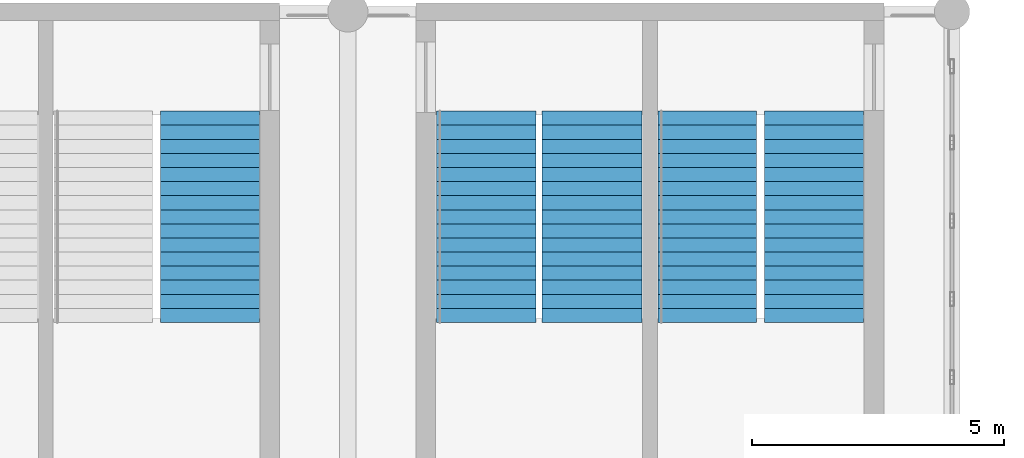
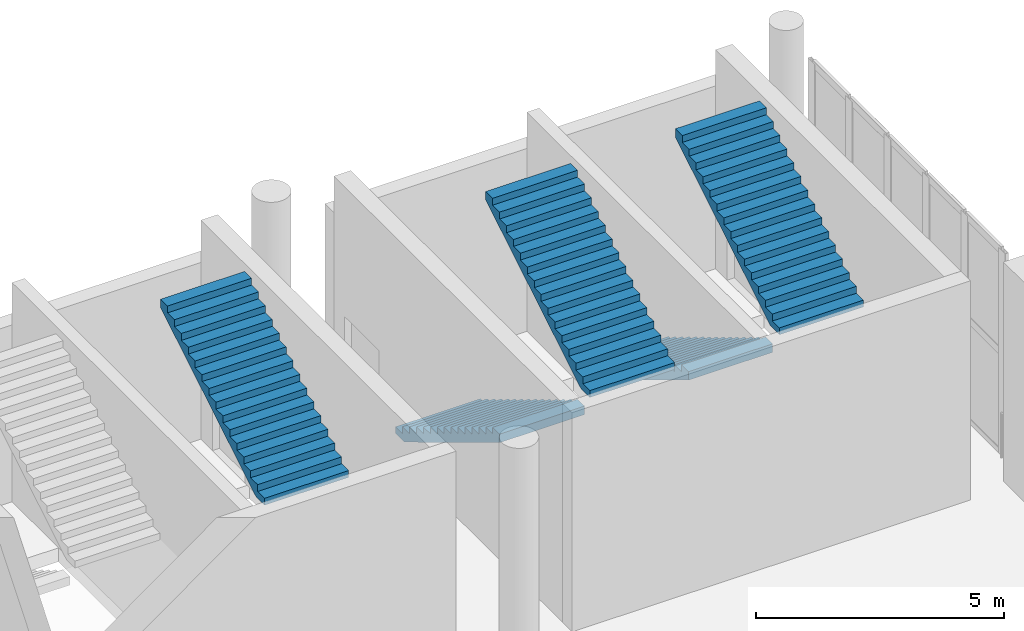
# One storey, part 59 of 74: 5 stair flights, 3 elements without a shape of their own.
"""IFC4 building model written with IfcOpenShell, lengths in metres."""

from ifc_helpers import new_model, si_unit, direction, frame, origin, place, context, subcontext, project, spatial, polyline, outline, extrude, material, layer, layer_set, type_object, element, aggregate, save


model = new_model("IFC4")

# Units and contexts
model_context = context("Model", 3, precision=1e-05, world=origin(), true_north=direction((0.0, 1.0)))
body_context = subcontext(model_context, "Body", "Model", "MODEL_VIEW")
ifc_project = project(units=[si_unit("LENGTHUNIT", "METRE"), si_unit("AREAUNIT", "SQUARE_METRE"), si_unit("VOLUMEUNIT", "CUBIC_METRE"), si_unit("PLANEANGLEUNIT", "RADIAN"), si_unit("MASSUNIT", "GRAM", prefix="KILO")], contexts=[model_context])

# Site, building, storey
site_placement = place(None, origin())
site = spatial("IfcSite", under=ifc_project, at=site_placement, CompositionType="ELEMENT")
building_placement = place(site_placement, origin())
building = spatial("IfcBuilding", under=site, at=building_placement, Name="Brinegate Civic Arena", CompositionType="ELEMENT")
storey_placement = place(building_placement, frame((0.0, 0.0, 19.199951171875)))
storey = spatial("IfcBuildingStorey", under=building, at=storey_placement, Name="L04", CompositionType="ELEMENT", Elevation=19.199951171875)

# Stair, stair flights
ifc_material = material(Name="Concrete C40/50", Category="concrete")
stair_type_1 = type_object("IfcStairType", Name="STAIR-EXIT-3700", PredefinedType="HALF_TURN_STAIR", material=ifc_material)
stair_1_placement = place(storey_placement, origin())
stair_1 = element("IfcStair", 1, at=stair_1_placement, inside=storey, type_object=stair_type_1, Name="Protected Exit Stair ST-03B (L04)", PredefinedType="HALF_TURN_STAIR")
ifc_layer_1 = layer(ifc_material, 0.179931640625, Name="Concrete C40/50")
ifc_layer_set_1 = layer_set([ifc_layer_1], Name="Concrete C40/50")
stair_flight_type_1 = type_object("IfcStairFlightType", Name="FLIGHT-EXIT-3700", PredefinedType="STRAIGHT", material=ifc_layer_set_1)
stair_flight_1_placement = place(storey_placement, frame((127.139892578125, 122.030029296875, 0.0), z_axis=(0.0, 0.0, 1.0), x_axis=(0.0, -1.0, 0.0)))
stair_flight_1 = element("IfcStairFlight", 2, at=stair_flight_1_placement, type_object=stair_flight_type_1, Name="ST-03B flight 1", NumberOfRisers=16, NumberOfTreads=15, PredefinedType="STRAIGHT", RiserHeight=0.16875, TreadLength=0.28, context=body_context, shape_type="SweptSolid", body=[
    extrude(outline(polyline([(0.0, 0.0), (0.0, 0.168701171875), (0.280029296875, 0.168701171875), (0.280029296875, 0.33740234375), (0.56005859375, 0.33740234375), (0.56005859375, 0.50634765625), (0.840087890625, 0.50634765625), (0.840087890625, 0.675048828125), (1.1201171875, 0.675048828125), (1.1201171875, 0.84375), (1.39990234375, 0.84375), (1.39990234375, 1.012451171875), (1.679931640625, 1.012451171875), (1.679931640625, 1.18115234375), (1.9599609375, 1.18115234375), (1.9599609375, 1.35009765625), (2.239990234375, 1.35009765625), (2.239990234375, 1.518798828125), (2.52001953125, 1.518798828125), (2.52001953125, 1.6875), (2.800048828125, 1.6875), (2.800048828125, 1.856201171875), (3.080078125, 1.856201171875), (3.080078125, 2.02490234375), (3.360107421875, 2.02490234375), (3.360107421875, 2.19384765625), (3.639892578125, 2.19384765625), (3.639892578125, 2.362548828125), (3.919921875, 2.362548828125), (3.919921875, 2.53125), (4.199951171875, 2.53125), (4.199951171875, 2.699951171875), (4.199951171875, 2.3212890625), (0.3486328125, 0.0), (0.0, 0.0)])), frame((0.0, 0.97998046875, 0.0), z_axis=(0.0, -1.0, 0.0), x_axis=(1.0, 0.0, 0.0)), (0.0, 0.0, 1.0), 1.9599609375),
])
stair_flight_2_placement = place(storey_placement, frame((129.260009765625, 117.830078125, 2.699951171875), z_axis=(0.0, 0.0, 1.0), x_axis=(0.0, 1.0, 0.0)))
stair_flight_2 = element("IfcStairFlight", 3, at=stair_flight_2_placement, type_object=stair_flight_type_1, Name="ST-03B flight 2", NumberOfRisers=16, NumberOfTreads=15, PredefinedType="STRAIGHT", RiserHeight=0.16875, TreadLength=0.28, context=body_context, shape_type="SweptSolid", body=[
    extrude(outline(polyline([(0.0, 0.0), (0.0, 0.168701171875), (0.280029296875, 0.168701171875), (0.280029296875, 0.33740234375), (0.56005859375, 0.33740234375), (0.56005859375, 0.50634765625), (0.840087890625, 0.50634765625), (0.840087890625, 0.675048828125), (1.1201171875, 0.675048828125), (1.1201171875, 0.84375), (1.39990234375, 0.84375), (1.39990234375, 1.012451171875), (1.679931640625, 1.012451171875), (1.679931640625, 1.18115234375), (1.9599609375, 1.18115234375), (1.9599609375, 1.35009765625), (2.239990234375, 1.35009765625), (2.239990234375, 1.518798828125), (2.52001953125, 1.518798828125), (2.52001953125, 1.6875), (2.800048828125, 1.6875), (2.800048828125, 1.856201171875), (3.080078125, 1.856201171875), (3.080078125, 2.02490234375), (3.360107421875, 2.02490234375), (3.360107421875, 2.19384765625), (3.639892578125, 2.19384765625), (3.639892578125, 2.362548828125), (3.919921875, 2.362548828125), (3.919921875, 2.53125), (4.199951171875, 2.53125), (4.199951171875, 2.699951171875), (4.199951171875, 2.3212890625), (0.3486328125, 0.0), (0.0, 0.0)])), frame((0.0, 0.97998046875, 0.0), z_axis=(0.0, -1.0, 0.0), x_axis=(1.0, 0.0, 0.0)), (0.0, 0.0, 1.0), 1.9599609375),
])
aggregate(stair_1, [stair_flight_1, stair_flight_2])

# Stair, stair flight
stair_2_placement = place(storey_placement, origin())
stair_2 = element("IfcStair", 4, at=stair_2_placement, inside=storey, type_object=stair_type_1, Name="Protected Exit Stair ST-15B (L04)", PredefinedType="HALF_TURN_STAIR")
stair_flight_3_placement = place(storey_placement, frame((117.260009765625, 117.830078125, 2.699951171875), z_axis=(0.0, 0.0, 1.0), x_axis=(0.0, 1.0, 0.0)))
stair_flight_3 = element("IfcStairFlight", 5, at=stair_flight_3_placement, type_object=stair_flight_type_1, Name="ST-15B flight 2", NumberOfRisers=16, NumberOfTreads=15, PredefinedType="STRAIGHT", RiserHeight=0.16875, TreadLength=0.28, context=body_context, shape_type="SweptSolid", body=[
    extrude(outline(polyline([(0.0, 0.0), (0.0, 0.168701171875), (0.280029296875, 0.168701171875), (0.280029296875, 0.33740234375), (0.56005859375, 0.33740234375), (0.56005859375, 0.50634765625), (0.840087890625, 0.50634765625), (0.840087890625, 0.675048828125), (1.1201171875, 0.675048828125), (1.1201171875, 0.84375), (1.39990234375, 0.84375), (1.39990234375, 1.012451171875), (1.679931640625, 1.012451171875), (1.679931640625, 1.18115234375), (1.9599609375, 1.18115234375), (1.9599609375, 1.35009765625), (2.239990234375, 1.35009765625), (2.239990234375, 1.518798828125), (2.52001953125, 1.518798828125), (2.52001953125, 1.6875), (2.800048828125, 1.6875), (2.800048828125, 1.856201171875), (3.080078125, 1.856201171875), (3.080078125, 2.02490234375), (3.360107421875, 2.02490234375), (3.360107421875, 2.19384765625), (3.639892578125, 2.19384765625), (3.639892578125, 2.362548828125), (3.919921875, 2.362548828125), (3.919921875, 2.53125), (4.199951171875, 2.53125), (4.199951171875, 2.699951171875), (4.199951171875, 2.3212890625), (0.3486328125, 0.0), (0.0, 0.0)])), frame((0.0, 0.97998046875, 0.0), z_axis=(0.0, -1.0, 0.0), x_axis=(1.0, 0.0, 0.0)), (0.0, 0.0, 1.0), 1.9599609375),
])
aggregate(stair_2, [stair_flight_3])

# Stair, stair flights
stair_type_2 = type_object("IfcStairType", Name="STAIR-EXIT-3850", PredefinedType="HALF_TURN_STAIR", material=ifc_material)
stair_3_placement = place(storey_placement, origin())
stair_3 = element("IfcStair", 6, at=stair_3_placement, inside=storey, type_object=stair_type_2, Name="Protected Exit Stair ST-03A (L04)", PredefinedType="HALF_TURN_STAIR")
ifc_layer_2 = layer(ifc_material, 0.179931640625, Name="Concrete C40/50")
ifc_layer_set_2 = layer_set([ifc_layer_2], Name="Concrete C40/50")
stair_flight_type_2 = type_object("IfcStairFlightType", Name="FLIGHT-EXIT-3850", PredefinedType="STRAIGHT", material=ifc_layer_set_2)
stair_flight_4_placement = place(storey_placement, frame((122.75, 122.030029296875, 0.0), z_axis=(0.0, 0.0, 1.0), x_axis=(0.0, -1.0, 0.0)))
stair_flight_4 = element("IfcStairFlight", 7, at=stair_flight_4_placement, type_object=stair_flight_type_2, Name="ST-03A flight 1", NumberOfRisers=16, NumberOfTreads=15, PredefinedType="STRAIGHT", RiserHeight=0.16875, TreadLength=0.28, context=body_context, shape_type="SweptSolid", body=[
    extrude(outline(polyline([(0.0, 0.0), (0.0, 0.168701171875), (0.280029296875, 0.168701171875), (0.280029296875, 0.33740234375), (0.56005859375, 0.33740234375), (0.56005859375, 0.50634765625), (0.840087890625, 0.50634765625), (0.840087890625, 0.675048828125), (1.1201171875, 0.675048828125), (1.1201171875, 0.84375), (1.39990234375, 0.84375), (1.39990234375, 1.012451171875), (1.679931640625, 1.012451171875), (1.679931640625, 1.18115234375), (1.9599609375, 1.18115234375), (1.9599609375, 1.35009765625), (2.239990234375, 1.35009765625), (2.239990234375, 1.518798828125), (2.52001953125, 1.518798828125), (2.52001953125, 1.6875), (2.800048828125, 1.6875), (2.800048828125, 1.856201171875), (3.080078125, 1.856201171875), (3.080078125, 2.02490234375), (3.360107421875, 2.02490234375), (3.360107421875, 2.19384765625), (3.639892578125, 2.19384765625), (3.639892578125, 2.362548828125), (3.919921875, 2.362548828125), (3.919921875, 2.53125), (4.199951171875, 2.53125), (4.199951171875, 2.699951171875), (4.199951171875, 2.3212890625), (0.3486328125, 0.0), (0.0, 0.0)])), frame((0.0, 0.989990234375, 0.0), z_axis=(0.0, -1.0, 0.0), x_axis=(1.0, 0.0, 0.0)), (0.0, 0.0, 1.0), 1.97998046875),
])
stair_flight_5_placement = place(storey_placement, frame((124.85009765625, 117.830078125, 2.699951171875), z_axis=(0.0, 0.0, 1.0), x_axis=(0.0, 1.0, 0.0)))
stair_flight_5 = element("IfcStairFlight", 8, at=stair_flight_5_placement, type_object=stair_flight_type_2, Name="ST-03A flight 2", NumberOfRisers=16, NumberOfTreads=15, PredefinedType="STRAIGHT", RiserHeight=0.16875, TreadLength=0.28, context=body_context, shape_type="SweptSolid", body=[
    extrude(outline(polyline([(0.0, 0.0), (0.0, 0.168701171875), (0.280029296875, 0.168701171875), (0.280029296875, 0.33740234375), (0.56005859375, 0.33740234375), (0.56005859375, 0.50634765625), (0.840087890625, 0.50634765625), (0.840087890625, 0.675048828125), (1.1201171875, 0.675048828125), (1.1201171875, 0.84375), (1.39990234375, 0.84375), (1.39990234375, 1.012451171875), (1.679931640625, 1.012451171875), (1.679931640625, 1.18115234375), (1.9599609375, 1.18115234375), (1.9599609375, 1.35009765625), (2.239990234375, 1.35009765625), (2.239990234375, 1.518798828125), (2.52001953125, 1.518798828125), (2.52001953125, 1.6875), (2.800048828125, 1.6875), (2.800048828125, 1.856201171875), (3.080078125, 1.856201171875), (3.080078125, 2.02490234375), (3.360107421875, 2.02490234375), (3.360107421875, 2.19384765625), (3.639892578125, 2.19384765625), (3.639892578125, 2.362548828125), (3.919921875, 2.362548828125), (3.919921875, 2.53125), (4.199951171875, 2.53125), (4.199951171875, 2.699951171875), (4.199951171875, 2.3212890625), (0.3486328125, 0.0), (0.0, 0.0)])), frame((0.0, 0.989990234375, 0.0), z_axis=(0.0, -1.0, 0.0), x_axis=(1.0, 0.0, 0.0)), (0.0, 0.0, 1.0), 1.97998046875),
])
aggregate(stair_3, [stair_flight_4, stair_flight_5])

save(model, "model.ifc")
